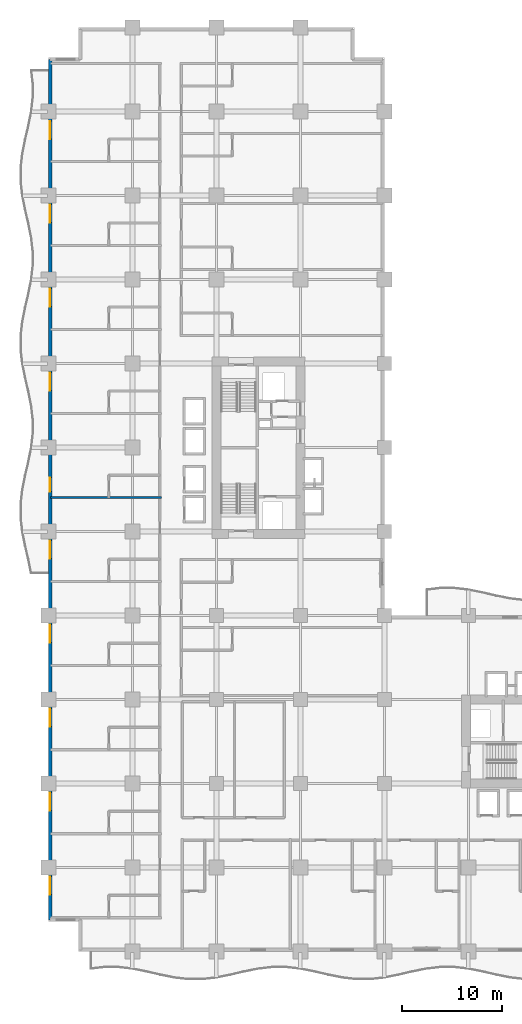
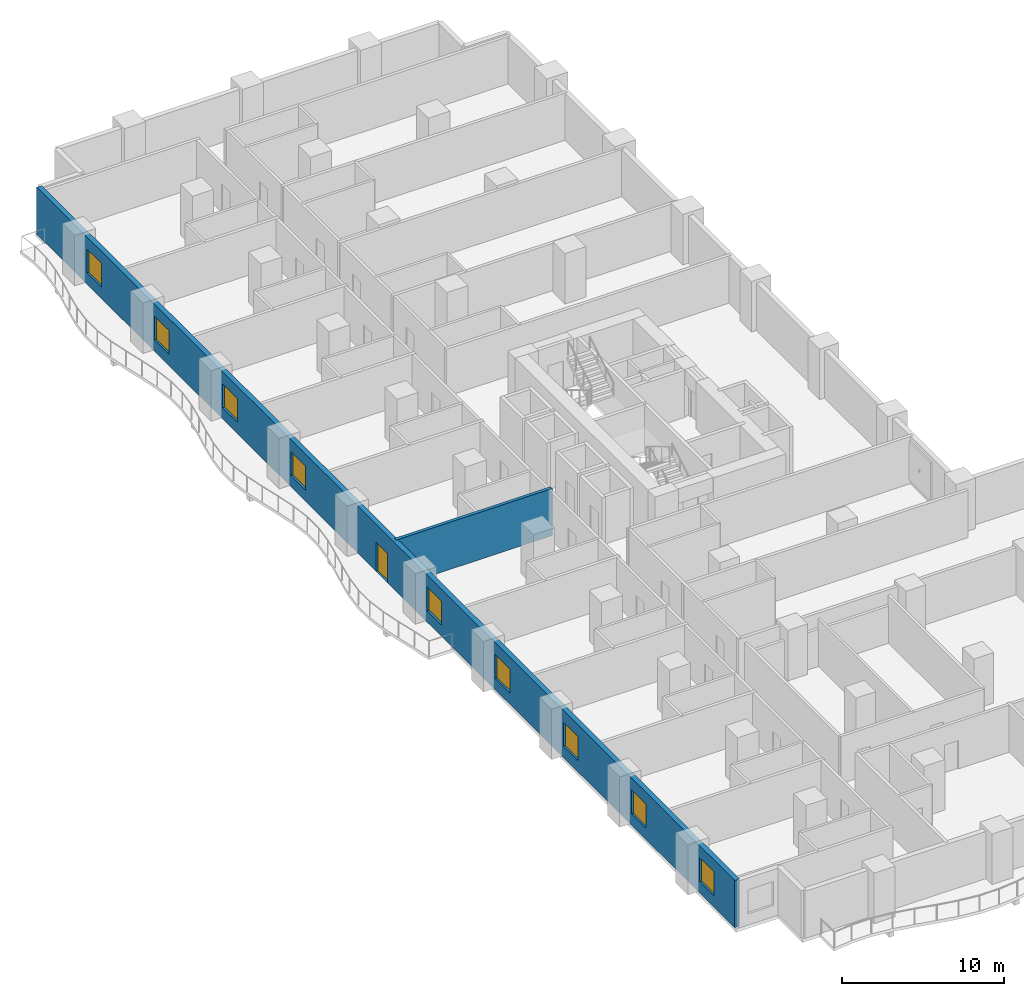
# One storey, part 8 of 20: 9 windows, 2 walls, 1 door, 10 openings.
"""IFC4 building model written with IfcOpenShell, lengths in metres."""

from ifc_helpers import new_model, si_unit, direction, frame, frame_2d, origin, place, context, subcontext, project, spatial, rectangle, extrude, material, layer, layer_set, type_object, element, fill, save


model = new_model("IFC4")

# Units and contexts
model_context = context("Model", 3, precision=1e-05, world=origin(), true_north=direction((0.0, 1.0)))
body_context = subcontext(model_context, "Body", "Model", "MODEL_VIEW")
ifc_project = project(units=[si_unit("LENGTHUNIT", "METRE"), si_unit("AREAUNIT", "SQUARE_METRE"), si_unit("VOLUMEUNIT", "CUBIC_METRE"), si_unit("PLANEANGLEUNIT", "RADIAN"), si_unit("MASSUNIT", "GRAM", prefix="KILO")], contexts=[model_context])

# Site, building, storey
site_placement = place(None, origin())
site = spatial("IfcSite", under=ifc_project, at=site_placement, CompositionType="ELEMENT")
building_placement = place(site_placement, origin())
building = spatial("IfcBuilding", under=site, at=building_placement, Name="Koriwani Terraces Tower", CompositionType="ELEMENT")
storey_placement = place(building_placement, frame((0.0, 0.0, 35.800048828125)))
storey = spatial("IfcBuildingStorey", under=building, at=storey_placement, Name="L07", CompositionType="ELEMENT", Elevation=35.800048828125)

# Wall
ifc_material_1 = material(Name="Autoclaved Cellular Concrete Blockwork", Category="masonry")
ifc_layer_1 = layer(ifc_material_1, 0.219970703125, Name="Autoclaved Cellular Concrete Blockwork")
ifc_layer_set_1 = layer_set([ifc_layer_1], Name="Autoclaved Cellular Concrete Blockwork")
wall_type_1 = type_object("IfcWallType", Name="WALL_DEMISING_220", PredefinedType="PARTITIONING", material=ifc_layer_set_1)
wall_1_placement = place(storey_placement, frame((0.199951171875, 45.39990234375, 0.0), z_axis=(0.0, 0.0, 1.0), x_axis=(1.0, 0.0, 0.0)))
element("IfcWall", 1, at=wall_1_placement, inside=storey, type_object=wall_type_1, Name="L07 Interior Wall WDEM-L07-NW-5", PredefinedType="PARTITIONING", context=body_context, shape_type="SweptSolid", body=[
    extrude(rectangle(XDim=11.130126953125, YDim=0.219970703125, at=frame_2d((5.56494140625, 0.0))), origin(), (0.0, 0.0, 1.0), 3.550048828125),
])

# Wall, openings, door, windows
ifc_material_2 = material(Name="Concrete C50/60", Category="concrete")
ifc_layer_2 = layer(ifc_material_2, 0.35009765625, Name="Concrete C50/60")
ifc_layer_set_2 = layer_set([ifc_layer_2], Name="Concrete C50/60")
wall_type_2 = type_object("IfcWallType", Name="WALL_EXT_BRUTALIST_350", PredefinedType="STANDARD", material=ifc_layer_set_2)
wall_2_placement = place(storey_placement, frame((0.175048828125, 3.175048828125, 0.0), z_axis=(0.0, 0.0, 1.0), x_axis=(0.0, 1.0, 0.0)))
wall_2 = element("IfcWall", 2, at=wall_2_placement, inside=storey, type_object=wall_type_2, Name="L07 Fair-Faced Brutalist Exterior Wall (W)", PredefinedType="STANDARD", context=body_context, shape_type="SweptSolid", body=[
    extrude(rectangle(XDim=86.050048828125, YDim=0.35009765625, at=frame_2d((43.02490234375, 0.0))), origin(), (0.0, 0.0, 1.0), 3.550048828125),
])
opening_1_placement = place(wall_2_placement, frame((42.824951171875, 0.0, 0.0)))
opening_1 = element("IfcOpeningElement", 3, at=opening_1_placement, cuts=wall_2, Name="Opening D-09", PredefinedType="OPENING", context=body_context, shape_type="SweptSolid", body=[
    extrude(rectangle(XDim=1.39990234375, YDim=2.199951171875, at=frame_2d((0.699951171875, 1.10009765625))), frame((0.0, 0.18505859375, 0.0), z_axis=(0.0, -1.0, 0.0), x_axis=(1.0, 0.0, 0.0)), (0.0, 0.0, 1.0), 0.3701171875),
])
opening_2_placement = place(wall_2_placement, frame((2.52490234375, 0.0, 0.85009765625)))
opening_2 = element("IfcOpeningElement", 4, at=opening_2_placement, cuts=wall_2, Name="Opening W-04", PredefinedType="OPENING", context=body_context, shape_type="SweptSolid", body=[
    extrude(rectangle(XDim=1.800048828125, YDim=1.800048828125, at=frame_2d((0.89990234375, 0.89990234375))), frame((0.0, 0.18505859375, 0.0), z_axis=(0.0, -1.0, 0.0), x_axis=(1.0, 0.0, 0.0)), (0.0, 0.0, 1.0), 0.3701171875),
])
opening_3_placement = place(wall_2_placement, frame((10.925048828125, 0.0, 0.85009765625)))
opening_3 = element("IfcOpeningElement", 5, at=opening_3_placement, cuts=wall_2, Name="Opening W-04", PredefinedType="OPENING", context=body_context, shape_type="SweptSolid", body=[
    extrude(rectangle(XDim=1.800048828125, YDim=1.800048828125, at=frame_2d((0.89990234375, 0.89990234375))), frame((0.0, 0.18505859375, 0.0), z_axis=(0.0, -1.0, 0.0), x_axis=(1.0, 0.0, 0.0)), (0.0, 0.0, 1.0), 0.3701171875),
])
opening_4_placement = place(wall_2_placement, frame((19.324951171875, 0.0, 0.85009765625)))
opening_4 = element("IfcOpeningElement", 6, at=opening_4_placement, cuts=wall_2, Name="Opening W-04", PredefinedType="OPENING", context=body_context, shape_type="SweptSolid", body=[
    extrude(rectangle(XDim=1.800048828125, YDim=1.800048828125, at=frame_2d((0.89990234375, 0.89990234375))), frame((0.0, 0.18505859375, 0.0), z_axis=(0.0, -1.0, 0.0), x_axis=(1.0, 0.0, 0.0)), (0.0, 0.0, 1.0), 0.3701171875),
])
opening_5_placement = place(wall_2_placement, frame((27.72509765625, 0.0, 0.85009765625)))
opening_5 = element("IfcOpeningElement", 7, at=opening_5_placement, cuts=wall_2, Name="Opening W-04", PredefinedType="OPENING", context=body_context, shape_type="SweptSolid", body=[
    extrude(rectangle(XDim=1.800048828125, YDim=1.800048828125, at=frame_2d((0.89990234375, 0.89990234375))), frame((0.0, 0.18505859375, 0.0), z_axis=(0.0, -1.0, 0.0), x_axis=(1.0, 0.0, 0.0)), (0.0, 0.0, 1.0), 0.3701171875),
])
opening_6_placement = place(wall_2_placement, frame((36.125, 0.0, 0.85009765625)))
opening_6 = element("IfcOpeningElement", 8, at=opening_6_placement, cuts=wall_2, Name="Opening W-04", PredefinedType="OPENING", context=body_context, shape_type="SweptSolid", body=[
    extrude(rectangle(XDim=1.800048828125, YDim=1.800048828125, at=frame_2d((0.89990234375, 0.89990234375))), frame((0.0, 0.18505859375, 0.0), z_axis=(0.0, -1.0, 0.0), x_axis=(1.0, 0.0, 0.0)), (0.0, 0.0, 1.0), 0.3701171875),
])
opening_7_placement = place(wall_2_placement, frame((52.925048828125, 0.0, 0.85009765625)))
opening_7 = element("IfcOpeningElement", 9, at=opening_7_placement, cuts=wall_2, Name="Opening W-04", PredefinedType="OPENING", context=body_context, shape_type="SweptSolid", body=[
    extrude(rectangle(XDim=1.800048828125, YDim=1.800048828125, at=frame_2d((0.89990234375, 0.89990234375))), frame((0.0, 0.18505859375, 0.0), z_axis=(0.0, -1.0, 0.0), x_axis=(1.0, 0.0, 0.0)), (0.0, 0.0, 1.0), 0.3701171875),
])
opening_8_placement = place(wall_2_placement, frame((61.324951171875, 0.0, 0.85009765625)))
opening_8 = element("IfcOpeningElement", 10, at=opening_8_placement, cuts=wall_2, Name="Opening W-04", PredefinedType="OPENING", context=body_context, shape_type="SweptSolid", body=[
    extrude(rectangle(XDim=1.800048828125, YDim=1.800048828125, at=frame_2d((0.89990234375, 0.89990234375))), frame((0.0, 0.18505859375, 0.0), z_axis=(0.0, -1.0, 0.0), x_axis=(1.0, 0.0, 0.0)), (0.0, 0.0, 1.0), 0.3701171875),
])
opening_9_placement = place(wall_2_placement, frame((69.72509765625, 0.0, 0.85009765625)))
opening_9 = element("IfcOpeningElement", 11, at=opening_9_placement, cuts=wall_2, Name="Opening W-04", PredefinedType="OPENING", context=body_context, shape_type="SweptSolid", body=[
    extrude(rectangle(XDim=1.800048828125, YDim=1.800048828125, at=frame_2d((0.89990234375, 0.89990234375))), frame((0.0, 0.18505859375, 0.0), z_axis=(0.0, -1.0, 0.0), x_axis=(1.0, 0.0, 0.0)), (0.0, 0.0, 1.0), 0.3701171875),
])
opening_10_placement = place(wall_2_placement, frame((78.074951171875, 0.0, 0.85009765625)))
opening_10 = element("IfcOpeningElement", 12, at=opening_10_placement, cuts=wall_2, Name="Opening W-04", PredefinedType="OPENING", context=body_context, shape_type="SweptSolid", body=[
    extrude(rectangle(XDim=1.800048828125, YDim=1.800048828125, at=frame_2d((0.89990234375, 0.89990234375))), frame((0.0, 0.18505859375, 0.0), z_axis=(0.0, -1.0, 0.0), x_axis=(1.0, 0.0, 0.0)), (0.0, 0.0, 1.0), 0.3701171875),
])
ifc_material_3 = material(Name="Anodised Bronze Aluminium", Category="aluminium")
door_type = type_object("IfcDoorType", Name="DOOR_BALCONY_GLAZED_1400X2200", OperationType="NOTDEFINED", PredefinedType="DOOR", material=ifc_material_3)
door_placement = place(opening_1_placement, origin())
door = element("IfcDoor", 13, at=door_placement, inside=storey, type_object=door_type, Name="L07 West Balcony Glazed Door", OperationType="SINGLE_SWING_LEFT", OverallHeight=2.199951171875, OverallWidth=1.39990234375, PredefinedType="DOOR", context=body_context, shape_type="SweptSolid", body=[
    extrude(rectangle(XDim=1.39990234375, YDim=2.199951171875, at=frame_2d((0.699951171875, 1.10009765625))), frame((0.0, 0.02490234375, 0.0), z_axis=(0.0, -1.0, 0.0), x_axis=(1.0, 0.0, 0.0)), (0.0, 0.0, 1.0), 0.050048828125),
])
fill(opening_1, door)
ifc_material_4 = material(Name="Tempered Laminated Low-E Glass", Category="glass")
window_type = type_object("IfcWindowType", Name="WIN_RES_BED_1800X1800", PartitioningType="DOUBLE_PANEL_VERTICAL", PredefinedType="WINDOW", material=ifc_material_4)
window_1_placement = place(opening_2_placement, origin())
window_1 = element("IfcWindow", 14, at=window_1_placement, inside=storey, type_object=window_type, Name="L07 Exterior Window (W-R37)", OverallHeight=1.800048828125, OverallWidth=1.800048828125, PartitioningType="SINGLE_PANEL", PredefinedType="WINDOW", context=body_context, shape_type="SweptSolid", body=[
    extrude(rectangle(XDim=1.800048828125, YDim=1.800048828125, at=frame_2d((0.89990234375, 0.89990234375))), frame((0.0, 0.030029296875, 0.0), z_axis=(0.0, -1.0, 0.0), x_axis=(1.0, 0.0, 0.0)), (0.0, 0.0, 1.0), 0.06005859375),
])
fill(opening_2, window_1)
window_2_placement = place(opening_3_placement, origin())
window_2 = element("IfcWindow", 15, at=window_2_placement, inside=storey, type_object=window_type, Name="L07 Exterior Window (W-R39)", OverallHeight=1.800048828125, OverallWidth=1.800048828125, PartitioningType="SINGLE_PANEL", PredefinedType="WINDOW", context=body_context, shape_type="SweptSolid", body=[
    extrude(rectangle(XDim=1.800048828125, YDim=1.800048828125, at=frame_2d((0.89990234375, 0.89990234375))), frame((0.0, 0.030029296875, 0.0), z_axis=(0.0, -1.0, 0.0), x_axis=(1.0, 0.0, 0.0)), (0.0, 0.0, 1.0), 0.06005859375),
])
fill(opening_3, window_2)
window_3_placement = place(opening_4_placement, origin())
window_3 = element("IfcWindow", 16, at=window_3_placement, inside=storey, type_object=window_type, Name="L07 Exterior Window (W-R41)", OverallHeight=1.800048828125, OverallWidth=1.800048828125, PartitioningType="SINGLE_PANEL", PredefinedType="WINDOW", context=body_context, shape_type="SweptSolid", body=[
    extrude(rectangle(XDim=1.800048828125, YDim=1.800048828125, at=frame_2d((0.89990234375, 0.89990234375))), frame((0.0, 0.030029296875, 0.0), z_axis=(0.0, -1.0, 0.0), x_axis=(1.0, 0.0, 0.0)), (0.0, 0.0, 1.0), 0.06005859375),
])
fill(opening_4, window_3)
window_4_placement = place(opening_5_placement, origin())
window_4 = element("IfcWindow", 17, at=window_4_placement, inside=storey, type_object=window_type, Name="L07 Exterior Window (W-R43)", OverallHeight=1.800048828125, OverallWidth=1.800048828125, PartitioningType="SINGLE_PANEL", PredefinedType="WINDOW", context=body_context, shape_type="SweptSolid", body=[
    extrude(rectangle(XDim=1.800048828125, YDim=1.800048828125, at=frame_2d((0.89990234375, 0.89990234375))), frame((0.0, 0.030029296875, 0.0), z_axis=(0.0, -1.0, 0.0), x_axis=(1.0, 0.0, 0.0)), (0.0, 0.0, 1.0), 0.06005859375),
])
fill(opening_5, window_4)
window_5_placement = place(opening_6_placement, origin())
window_5 = element("IfcWindow", 18, at=window_5_placement, inside=storey, type_object=window_type, Name="L07 Exterior Window (W-R45)", OverallHeight=1.800048828125, OverallWidth=1.800048828125, PartitioningType="SINGLE_PANEL", PredefinedType="WINDOW", context=body_context, shape_type="SweptSolid", body=[
    extrude(rectangle(XDim=1.800048828125, YDim=1.800048828125, at=frame_2d((0.89990234375, 0.89990234375))), frame((0.0, 0.030029296875, 0.0), z_axis=(0.0, -1.0, 0.0), x_axis=(1.0, 0.0, 0.0)), (0.0, 0.0, 1.0), 0.06005859375),
])
fill(opening_6, window_5)
window_6_placement = place(opening_7_placement, origin())
window_6 = element("IfcWindow", 19, at=window_6_placement, inside=storey, type_object=window_type, Name="L07 Exterior Window (W-R49)", OverallHeight=1.800048828125, OverallWidth=1.800048828125, PartitioningType="SINGLE_PANEL", PredefinedType="WINDOW", context=body_context, shape_type="SweptSolid", body=[
    extrude(rectangle(XDim=1.800048828125, YDim=1.800048828125, at=frame_2d((0.89990234375, 0.89990234375))), frame((0.0, 0.030029296875, 0.0), z_axis=(0.0, -1.0, 0.0), x_axis=(1.0, 0.0, 0.0)), (0.0, 0.0, 1.0), 0.06005859375),
])
fill(opening_7, window_6)
window_7_placement = place(opening_8_placement, origin())
window_7 = element("IfcWindow", 20, at=window_7_placement, inside=storey, type_object=window_type, Name="L07 Exterior Window (W-R51)", OverallHeight=1.800048828125, OverallWidth=1.800048828125, PartitioningType="SINGLE_PANEL", PredefinedType="WINDOW", context=body_context, shape_type="SweptSolid", body=[
    extrude(rectangle(XDim=1.800048828125, YDim=1.800048828125, at=frame_2d((0.89990234375, 0.89990234375))), frame((0.0, 0.030029296875, 0.0), z_axis=(0.0, -1.0, 0.0), x_axis=(1.0, 0.0, 0.0)), (0.0, 0.0, 1.0), 0.06005859375),
])
fill(opening_8, window_7)
window_8_placement = place(opening_9_placement, origin())
window_8 = element("IfcWindow", 21, at=window_8_placement, inside=storey, type_object=window_type, Name="L07 Exterior Window (W-R53)", OverallHeight=1.800048828125, OverallWidth=1.800048828125, PartitioningType="SINGLE_PANEL", PredefinedType="WINDOW", context=body_context, shape_type="SweptSolid", body=[
    extrude(rectangle(XDim=1.800048828125, YDim=1.800048828125, at=frame_2d((0.89990234375, 0.89990234375))), frame((0.0, 0.030029296875, 0.0), z_axis=(0.0, -1.0, 0.0), x_axis=(1.0, 0.0, 0.0)), (0.0, 0.0, 1.0), 0.06005859375),
])
fill(opening_9, window_8)
window_9_placement = place(opening_10_placement, origin())
window_9 = element("IfcWindow", 22, at=window_9_placement, inside=storey, type_object=window_type, Name="L07 Exterior Window (W-R55)", OverallHeight=1.800048828125, OverallWidth=1.800048828125, PartitioningType="SINGLE_PANEL", PredefinedType="WINDOW", context=body_context, shape_type="SweptSolid", body=[
    extrude(rectangle(XDim=1.800048828125, YDim=1.800048828125, at=frame_2d((0.89990234375, 0.89990234375))), frame((0.0, 0.030029296875, 0.0), z_axis=(0.0, -1.0, 0.0), x_axis=(1.0, 0.0, 0.0)), (0.0, 0.0, 1.0), 0.06005859375),
])
fill(opening_10, window_9)

save(model, "model.ifc")
